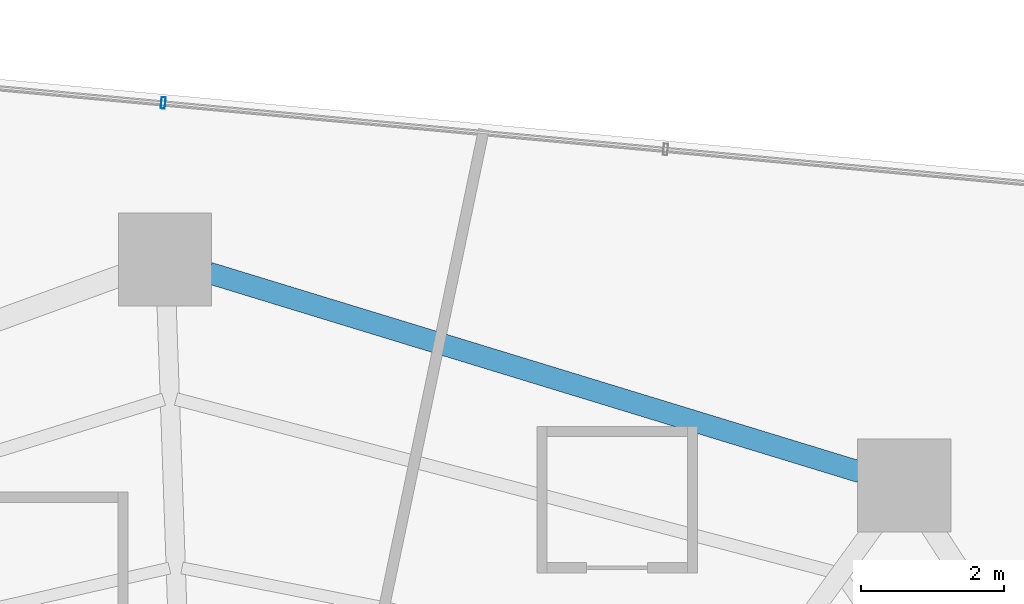
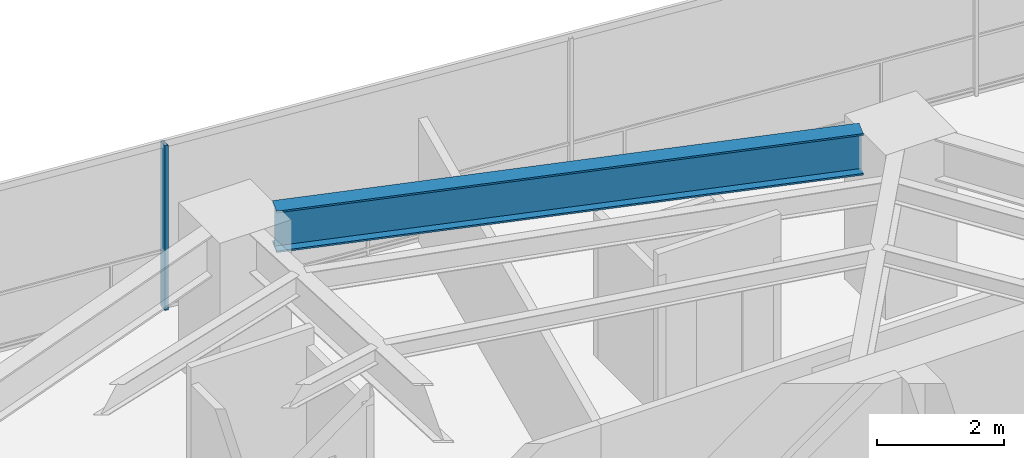
# One storey, part 20 of 30: 1 beam, 1 member, 1 element without a shape of its own.
"""IFC4 building model written with IfcOpenShell, lengths in metres."""

from ifc_helpers import new_model, si_unit, direction, frame, origin, origin_2d, place, context, subcontext, project, spatial, hollow_rectangle, i_section, extrude, material, layer, layer_set, material_profile, profile_set, type_object, element, aggregate, save


model = new_model("IFC4")

# Units and contexts
model_context = context("Model", 3, precision=1e-05, world=origin(), true_north=direction((0.0, 1.0)))
body_context = subcontext(model_context, "Body", "Model", "MODEL_VIEW")
ifc_project = project(units=[si_unit("LENGTHUNIT", "METRE"), si_unit("AREAUNIT", "SQUARE_METRE"), si_unit("VOLUMEUNIT", "CUBIC_METRE"), si_unit("PLANEANGLEUNIT", "RADIAN"), si_unit("MASSUNIT", "GRAM", prefix="KILO")], contexts=[model_context])

# Site, building, storey
site_placement = place(None, origin())
site = spatial("IfcSite", under=ifc_project, at=site_placement, CompositionType="ELEMENT")
building_placement = place(site_placement, origin())
building = spatial("IfcBuilding", under=site, at=building_placement, Name="Qarnah Convention Tower", CompositionType="ELEMENT")
storey_placement = place(building_placement, frame((0.0, 0.0, 47.699951171875)))
storey = spatial("IfcBuildingStorey", under=building, at=storey_placement, Name="L11", CompositionType="ELEMENT", Elevation=47.699951171875)

# Beam
ifc_material_1 = material(Name="Structural steel S355JR", Category="steel")
ifc_material_profile_1 = material_profile(ifc_material_1, i_section(OverallWidth=0.300048828125, OverallDepth=0.800048828125, WebThickness=0.01806640625, FlangeThickness=0.032958984375, at=origin_2d()), Name="HEB800")
ifc_profile_set_1 = profile_set([ifc_material_profile_1], Name="Structural steel S355JR")
beam_type = type_object("IfcBeamType", Name="BM-RING-HEB800", PredefinedType="BEAM", material=ifc_profile_set_1)
beam_placement = place(storey_placement, frame((46.31591796875, 39.97607421875, 2.77001953125), z_axis=(-0.956298871663, 0.292390950707, 0.0), x_axis=(-0.292390950707, -0.956298871663, 0.0)))
element("IfcBeam", 1, at=beam_placement, inside=storey, type_object=beam_type, Name="L11 beam BM-L11-SPN-02", PredefinedType="BEAM", context=body_context, shape_type="SweptSolid", body=[
    extrude(i_section(OverallWidth=0.300048828125, OverallDepth=0.800048828125, WebThickness=0.01806640625, FlangeThickness=0.032958984375, at=origin_2d()), origin(), (0.0, 0.0, 1.0), 9.4970703125),
])

# Curtain wall, member
ifc_material_2 = material(Name="Tempered Low-E dark glass", Category="glass")
ifc_layer = layer(ifc_material_2, 0.16796875)
ifc_layer_set = layer_set([ifc_layer], Name="Tempered Low-E dark glass")
curtain_wall_type = type_object("IfcCurtainWallType", Name="CWS-01", PredefinedType="NOTDEFINED", material=ifc_layer_set)
curtain_wall_placement = place(storey_placement, origin())
curtain_wall = element("IfcCurtainWall", 2, at=curtain_wall_placement, inside=storey, type_object=curtain_wall_type, Name="L11 unitised curtain wall CW-L11-F2", PredefinedType="NOTDEFINED")
ifc_material_3 = material(Name="Black anodised aluminium", Category="aluminium")
ifc_material_profile_2 = material_profile(ifc_material_3, hollow_rectangle(XDim=0.06005859375, YDim=0.159912109375, WallThickness=0.00390625, at=origin_2d()), Name="MUL-60X160")
ifc_profile_set_2 = profile_set([ifc_material_profile_2], Name="Black anodised aluminium")
member_type = type_object("IfcMemberType", Name="MUL-T1", PredefinedType="MULLION", material=ifc_profile_set_2)
member_placement = place(storey_placement, frame((36.597412109375, 45.122314453125, 0.0), z_axis=(0.0, 0.0, 1.0), x_axis=(0.995755501183, -0.092037937091, 0.0)))
member = element("IfcMember", 3, at=member_placement, type_object=member_type, Name="CW-L11-F2 mullion 3", PredefinedType="MULLION", context=body_context, shape_type="SweptSolid", body=[
    extrude(hollow_rectangle(XDim=0.06005859375, YDim=0.159912109375, WallThickness=0.00390625, at=origin_2d()), origin(), (0.0, 0.0, 1.0), 3.170166015625),
])
aggregate(curtain_wall, [member])

save(model, "model.ifc")
